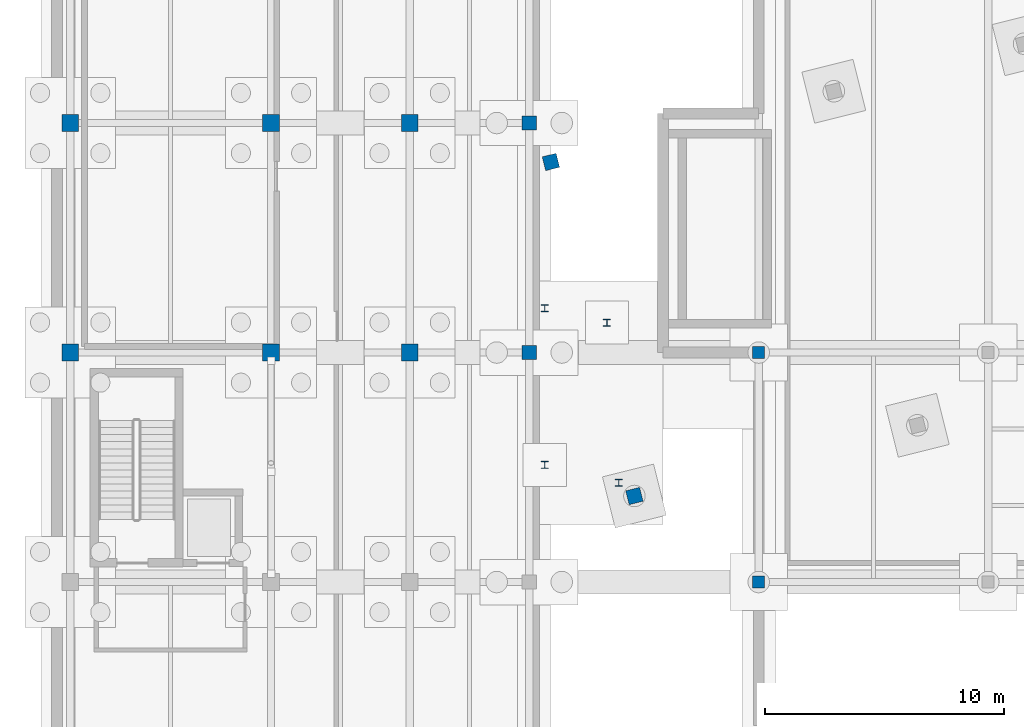
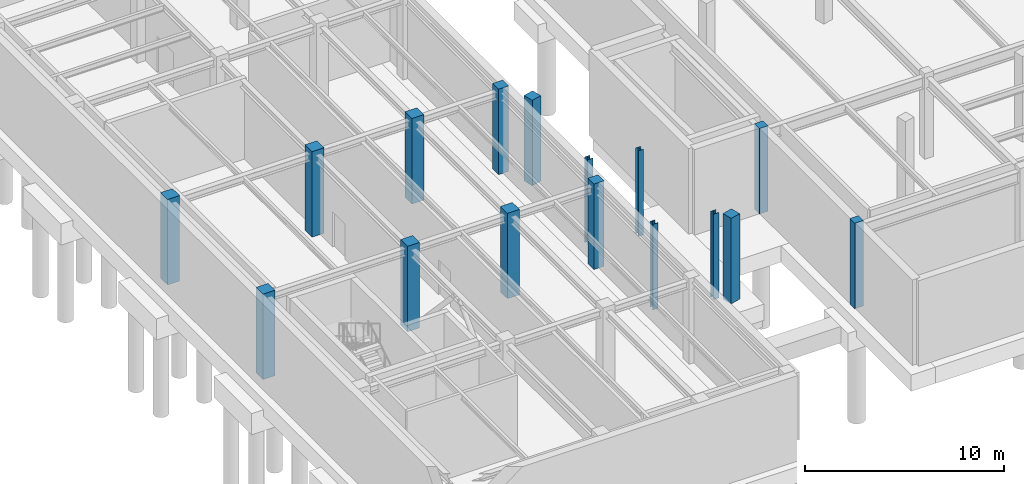
# One storey, part 6 of 33: 16 columns.
"""IFC4 building model written with IfcOpenShell, lengths in metres."""

from ifc_helpers import new_model, si_unit, direction, frame, origin, origin_2d, place, context, subcontext, project, spatial, rectangle, i_section, extrude, material, material_profile, profile_set, type_object, element, save


model = new_model("IFC4")

# Units and contexts
model_context = context("Model", 3, precision=1e-05, world=origin(), true_north=direction((0.0, 1.0)))
body_context = subcontext(model_context, "Body", "Model", "MODEL_VIEW")
ifc_project = project(units=[si_unit("LENGTHUNIT", "METRE"), si_unit("AREAUNIT", "SQUARE_METRE"), si_unit("VOLUMEUNIT", "CUBIC_METRE"), si_unit("PLANEANGLEUNIT", "RADIAN"), si_unit("MASSUNIT", "GRAM", prefix="KILO")], contexts=[model_context])

# Site, building, storey
site_placement = place(None, origin())
site = spatial("IfcSite", under=ifc_project, at=site_placement, CompositionType="ELEMENT")
building_placement = place(site_placement, origin())
building = spatial("IfcBuilding", under=site, at=building_placement, Name="Nordkorset Police Headquarters", CompositionType="ELEMENT")
storey_placement = place(building_placement, frame((0.0, 0.0, -9.800048828125)))
storey = spatial("IfcBuildingStorey", under=building, at=storey_placement, Name="B02", CompositionType="ELEMENT", Elevation=-9.800048828125)

# Columns
ifc_material_1 = material(Name="Steel S355J2", Category="steel")
ifc_material_profile_1 = material_profile(ifc_material_1, i_section(OverallWidth=0.300048828125, OverallDepth=0.300048828125, WebThickness=0.010986328125, FlangeThickness=0.01904296875, FilletRadius=0.027099609375, at=origin_2d()), Name="HEB 300")
ifc_profile_set_1 = profile_set([ifc_material_profile_1], Name="Steel S355J2")
column_type_1 = type_object("IfcColumnType", Name="Col_HEB_300", PredefinedType="COLUMN", material=ifc_profile_set_1)
for number, where, z_axis, x_axis, name in (
    (1, (19.85009765625, 49.85009765625, 0.0), (0.0, 0.0, 1.0), (1.0, 0.0, 0.0), "Courtyard Link Bridge Column BRG_W_N B02"),
    (2, (19.85009765625, 43.300048828125, 0.0), (0.0, 0.0, 1.0), (1.0, 0.0, 0.0), "Courtyard Link Bridge Column BRG_W_S B02"),
    (3, (22.449951171875, 49.25, 0.0), (0.0, 0.0, 1.0), (1.0, 0.0, 0.0), "Courtyard Link Bridge Column BRG_W_E1 B02"),
    (4, (22.949951171875, 42.550048828125, 0.0), (0.0, 0.0, 1.0), (1.0, 0.0, 0.0), "Courtyard Link Bridge Column BRG_W_E2 B02"),
):
    element("IfcColumn", number, at=place(storey_placement, frame(where, z_axis=z_axis, x_axis=x_axis)), inside=storey, type_object=column_type_1, Name=name, PredefinedType="COLUMN", context=body_context, shape_type="SweptSolid", body=[
        extrude(i_section(OverallWidth=0.300048828125, OverallDepth=0.300048828125, WebThickness=0.010986328125, FlangeThickness=0.01904296875, FilletRadius=0.027099609375, at=origin_2d()), origin(), (0.0, 0.0, 1.0), 5.25),
    ])
ifc_material_2 = material(Name="Concrete C45/55", Category="concrete")
ifc_material_profile_2 = material_profile(ifc_material_2, rectangle(XDim=0.5, YDim=0.5, at=origin_2d()), Name="RC 500x500")
ifc_profile_set_2 = profile_set([ifc_material_profile_2], Name="Concrete C45/55")
column_type_2 = type_object("IfcColumnType", Name="Col_RC_500x500", PredefinedType="COLUMN", material=ifc_profile_set_2)
for number, where, z_axis, x_axis, name in (
    (5, (28.800048828125, 38.39990234375, 0.0), (0.0, 0.0, 1.0), (1.0, 0.0, 0.0), "Structural Column SUB_C_0_0 B02"),
    (6, (28.800048828125, 48.0, 0.0), (0.0, 0.0, 1.0), (1.0, 0.0, 0.0), "Structural Column SUB_C_0_1 B02"),
):
    element("IfcColumn", number, at=place(storey_placement, frame(where, z_axis=z_axis, x_axis=x_axis)), inside=storey, type_object=column_type_2, Name=name, PredefinedType="COLUMN", context=body_context, shape_type="SweptSolid", body=[
        extrude(rectangle(XDim=0.5, YDim=0.5, at=origin_2d()), origin(), (0.0, 0.0, 1.0), 5.25),
    ])
ifc_material_3 = material(Name="Concrete C45/55", Category="concrete")
ifc_material_profile_3 = material_profile(ifc_material_3, rectangle(XDim=0.60009765625, YDim=0.60009765625, at=origin_2d()), Name="RC 600x600")
ifc_profile_set_3 = profile_set([ifc_material_profile_3], Name="Concrete C45/55")
column_type_3 = type_object("IfcColumnType", Name="Col_RC_600x600", PredefinedType="COLUMN", material=ifc_profile_set_3)
for number, where, z_axis, x_axis, name in (
    (7, (19.199951171875, 48.0, 0.0), (0.0, 0.0, 1.0), (1.0, 0.0, 0.0), "Structural Column V3_X3_2 B02"),
    (8, (19.199951171875, 57.60009765625, 0.0), (0.0, 0.0, 1.0), (1.0, 0.0, 0.0), "Structural Column V3_X3_3 B02"),
    (9, (23.60009765625, 42.0, 0.0), (0.0, 0.0, 1.0), (0.970142500145, 0.242535625038, 0.0), "Structural Column V4_U0_V0 B02"),
    (10, (20.107421875, 55.969970703125, 0.0), (0.0, 0.0, 1.0), (0.970142500145, 0.242535625038, 0.0), "Structural Column V4_U0_V1 B02"),
):
    element("IfcColumn", number, at=place(storey_placement, frame(where, z_axis=z_axis, x_axis=x_axis)), inside=storey, type_object=column_type_3, Name=name, PredefinedType="COLUMN", context=body_context, shape_type="SweptSolid", body=[
        extrude(rectangle(XDim=0.60009765625, YDim=0.60009765625, at=origin_2d()), origin(), (0.0, 0.0, 1.0), 5.25),
    ])
ifc_material_4 = material(Name="Concrete C45/55", Category="concrete")
ifc_material_profile_4 = material_profile(ifc_material_4, rectangle(XDim=0.699951171875, YDim=0.699951171875, at=origin_2d()), Name="RC 700x700")
ifc_profile_set_4 = profile_set([ifc_material_profile_4], Name="Concrete C45/55")
column_type_4 = type_object("IfcColumnType", Name="Col_RC_700x700", PredefinedType="COLUMN", material=ifc_profile_set_4)
for number, where, z_axis, x_axis, name in (
    (11, (0.0, 48.0, 0.0), (0.0, 0.0, 1.0), (1.0, 0.0, 0.0), "Structural Column V3_X0_2 B02"),
    (12, (8.39990234375, 48.0, 0.0), (0.0, 0.0, 1.0), (1.0, 0.0, 0.0), "Structural Column V3_X1_2 B02"),
    (13, (14.199951171875, 48.0, 0.0), (0.0, 0.0, 1.0), (1.0, 0.0, 0.0), "Structural Column V3_X2_2 B02"),
    (14, (0.0, 57.60009765625, 0.0), (0.0, 0.0, 1.0), (1.0, 0.0, 0.0), "Structural Column V3_X0_3 B02"),
    (15, (8.39990234375, 57.60009765625, 0.0), (0.0, 0.0, 1.0), (1.0, 0.0, 0.0), "Structural Column V3_X1_3 B02"),
    (16, (14.199951171875, 57.60009765625, 0.0), (0.0, 0.0, 1.0), (1.0, 0.0, 0.0), "Structural Column V3_X2_3 B02"),
):
    element("IfcColumn", number, at=place(storey_placement, frame(where, z_axis=z_axis, x_axis=x_axis)), inside=storey, type_object=column_type_4, Name=name, PredefinedType="COLUMN", context=body_context, shape_type="SweptSolid", body=[
        extrude(rectangle(XDim=0.699951171875, YDim=0.699951171875, at=origin_2d()), origin(), (0.0, 0.0, 1.0), 5.25),
    ])

save(model, "model.ifc")
